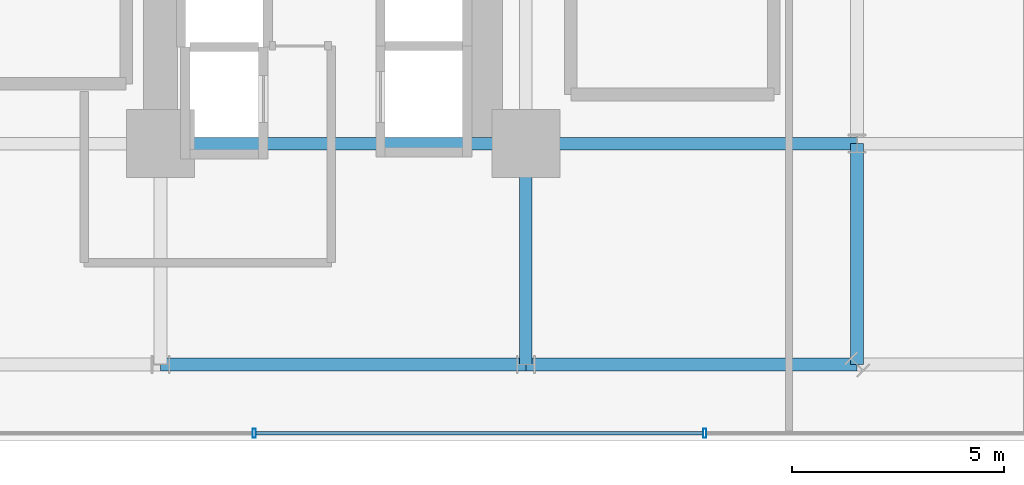
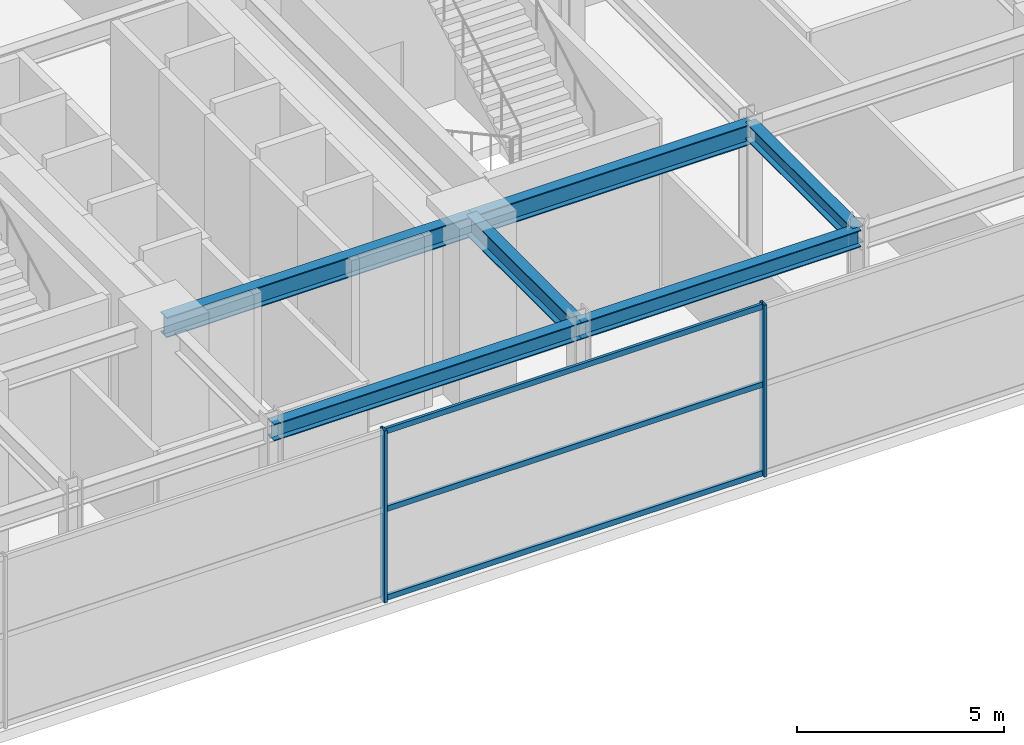
# One storey, part 12 of 32: 6 beams, 5 members, 1 element without a shape of its own.
"""IFC4 building model written with IfcOpenShell, lengths in metres."""

import ifcopenshell
import ifcopenshell.guid

model = None  # the IFC model being written
_history = None  # IfcOwnerHistory: only IFC2X3 demands one
_inside = {}  # id of a spatial element -> (the spatial element, [elements in it])
_under = {}  # id of a project, library or spatial element -> (it, [spatial elements below it])
_declared = {}  # id of a project -> (the project, [libraries it declares])
_typed = {}  # id of a type object -> (the type object, [elements of that type])
_made_of = {}  # id of a material, layer set ... -> (it, [elements and type objects made of it])


def new_model(schema):
    """Start an empty IFC model of exactly this schema.

    Asked for "IFC4X3", IfcOpenShell would pick the latest addendum, in which some entities
    have other attributes; the version numbers below select the first issue.
    IFC2X3 requires an IfcOwnerHistory on every rooted entity: one is made here for all.
    """
    global model, _history
    if schema == "IFC4X3":
        model = ifcopenshell.file(schema_version=(4, 3, 0, 0))
    else:
        model = ifcopenshell.file(schema=schema)
    _inside.clear()
    _under.clear()
    _declared.clear()
    _typed.clear()
    _made_of.clear()
    _history = None
    if model.schema == "IFC2X3":
        org = make("IfcOrganization", Name="unknown")
        user = make(
            "IfcPersonAndOrganization",
            ThePerson=make("IfcPerson", FamilyName="unknown"),
            TheOrganization=org,
        )
        app = make(
            "IfcApplication",
            ApplicationDeveloper=org,
            Version="unknown",
            ApplicationFullName="unknown",
            ApplicationIdentifier="unknown",
        )
        _history = make(
            "IfcOwnerHistory",
            OwningUser=user,
            OwningApplication=app,
            ChangeAction="ADDED",
            CreationDate=0,
        )
    return model


def make(cls, **values):
    """One entity of the class cls with the attributes given. An attribute that is None is left unset."""
    return model.create_entity(
        cls, **{name: value for name, value in values.items() if value is not None}
    )


def rooted(cls, **values):
    """An entity with a GlobalId (a new one), such as an element, a storey or a relation."""
    return make(cls, GlobalId=ifcopenshell.guid.new(), OwnerHistory=_history, **values)


def si_unit(unit_type, name, prefix=None):
    """IfcSIUnit, for example si_unit("LENGTHUNIT", "METRE", prefix="MILLI")."""
    return make("IfcSIUnit", UnitType=unit_type, Prefix=prefix, Name=name)


def assignment(units):
    """IfcUnitAssignment: the units of a project."""
    return None if units is None else make("IfcUnitAssignment", Units=units)


def point(xyz):
    """IfcCartesianPoint."""
    return None if xyz is None else make("IfcCartesianPoint", Coordinates=xyz)


def direction(xyz):
    """IfcDirection."""
    return None if xyz is None else make("IfcDirection", DirectionRatios=xyz)


def frame(location, z_axis=None, x_axis=None):
    """IfcAxis2Placement3D, a coordinate frame: its origin and axes. An axis left out is left unset."""
    return make(
        "IfcAxis2Placement3D",
        Location=point(location),
        Axis=direction(z_axis),
        RefDirection=direction(x_axis),
    )


def frame_2d(location, x_axis=None):
    """IfcAxis2Placement2D, a coordinate frame in the plane: its origin and x axis."""
    return make(
        "IfcAxis2Placement2D", Location=point(location), RefDirection=direction(x_axis)
    )


def origin():
    """The frame at (0, 0, 0) with its axes left unset."""
    return frame((0.0, 0.0, 0.0))


def origin_2d():
    """The frame at (0, 0) in the plane with its x axis left unset."""
    return frame_2d((0.0, 0.0))


def place(relative_to, where):
    """IfcLocalPlacement: puts the frame where relative to a parent placement (None: the world)."""
    return make(
        "IfcLocalPlacement", PlacementRelTo=relative_to, RelativePlacement=where
    )


def context(
    kind, dimensions, precision=None, world=None, true_north=None, identifier=None
):
    """IfcGeometricRepresentationContext, for example the 3D "Model" context."""
    return make(
        "IfcGeometricRepresentationContext",
        ContextIdentifier=identifier,
        ContextType=kind,
        CoordinateSpaceDimension=dimensions,
        Precision=precision,
        WorldCoordinateSystem=world,
        TrueNorth=true_north,
    )


def subcontext(parent, identifier, kind, view, scale=None):
    """IfcGeometricRepresentationSubContext, for example "Body" below "Model"."""
    return make(
        "IfcGeometricRepresentationSubContext",
        ContextIdentifier=identifier,
        ContextType=kind,
        ParentContext=parent,
        TargetScale=scale,
        TargetView=view,
    )


def project(units=None, contexts=None):
    """IfcProject with its units and contexts."""
    return rooted(
        "IfcProject",
        Name="project",
        RepresentationContexts=contexts,
        UnitsInContext=assignment(units),
    )


def spatial(cls, under=None, at=None, **own):
    """A site, building, storey or space (cls), placed at a placement, below another one or the project."""
    s = rooted(cls, ObjectPlacement=at, **own)
    if under is not None:
        _under.setdefault(under.id(), (under, []))[1].append(s)
    return s


def profile(cls, at=None, kind="AREA", **sizes):
    """A parametric profile (cls). Its sizes go by their IFC names, for example OverallWidth=200.0."""
    return make(cls, ProfileType=kind, Position=at, **sizes)


def hollow_rectangle(**sizes):
    """IfcRectangleHollowProfileDef."""
    return profile("IfcRectangleHollowProfileDef", **sizes)


def i_section(**sizes):
    """IfcIShapeProfileDef."""
    return profile("IfcIShapeProfileDef", **sizes)


def extrude(swept, where, along, depth):
    """IfcExtrudedAreaSolid: the profile swept, set in the frame where, extruded along a direction by depth."""
    return make(
        "IfcExtrudedAreaSolid",
        SweptArea=swept,
        Position=where,
        ExtrudedDirection=direction(along),
        Depth=depth,
    )


def shape(context_of_items, identifier, shape_type, items):
    """IfcShapeRepresentation: the items that make up one representation, for example the "Body"."""
    return make(
        "IfcShapeRepresentation",
        ContextOfItems=context_of_items,
        RepresentationIdentifier=identifier,
        RepresentationType=shape_type,
        Items=items,
    )


def source(mapping_origin, context_of_items, identifier, shape_type, items):
    """IfcRepresentationMap: a shape defined once, which mapped items show again and again."""
    return make(
        "IfcRepresentationMap",
        MappingOrigin=mapping_origin,
        MappedRepresentation=shape(context_of_items, identifier, shape_type, items),
    )


def transform(
    local_origin,
    x_axis=None,
    y_axis=None,
    z_axis=None,
    scale=None,
    scale2=None,
    scale3=None,
    uniform=True,
):
    """IfcCartesianTransformationOperator3D, or its non-uniform kind. x_axis, y_axis, z_axis: its Axis1, 2, 3."""
    if uniform:
        return make(
            "IfcCartesianTransformationOperator3D",
            Axis1=direction(x_axis),
            Axis2=direction(y_axis),
            LocalOrigin=point(local_origin),
            Scale=scale,
            Axis3=direction(z_axis),
        )
    return make(
        "IfcCartesianTransformationOperator3DnonUniform",
        Axis1=direction(x_axis),
        Axis2=direction(y_axis),
        LocalOrigin=point(local_origin),
        Scale=scale,
        Axis3=direction(z_axis),
        Scale2=scale2,
        Scale3=scale3,
    )


def mapped(mapping_source, mapping_target):
    """IfcMappedItem: shows the shape of a source again, moved by a transform."""
    return make(
        "IfcMappedItem", MappingSource=mapping_source, MappingTarget=mapping_target
    )


def material(Name=None, Category=None):
    """IfcMaterial."""
    return make("IfcMaterial", Name=Name, Category=Category)


def material_profile(
    of_material, cross_section, Name=None, Category=None, Priority=None
):
    """IfcMaterialProfile: a cross section and its material."""
    return make(
        "IfcMaterialProfile",
        Name=Name,
        Material=of_material,
        Profile=cross_section,
        Priority=Priority,
        Category=Category,
    )


def profile_set(profiles, Name=None, composite=None):
    """IfcMaterialProfileSet."""
    return make(
        "IfcMaterialProfileSet",
        Name=Name,
        MaterialProfiles=profiles,
        CompositeProfile=composite,
    )


def made_of(thing, what):
    """Note that an element or type object is made of a material, layer set ...; save() writes the relation."""
    if what is not None:
        _made_of.setdefault(what.id(), (what, []))[1].append(thing)
    return thing


def type_object(cls, material=None, **own):
    """A type object (cls), such as IfcWallType, which elements share."""
    return made_of(rooted(cls, **own), material)


def element(
    cls,
    number,
    at=None,
    inside=None,
    cuts=None,
    type_object=None,
    material=None,
    context=None,
    identifier="Body",
    shape_type=None,
    held_by="IfcProductDefinitionShape",
    body=None,
    shapes=None,
    **own,
):
    """One element of the class cls, such as IfcWall. Its Tag is "e" and its number.

    at: its placement. inside: the storey or other place that contains it. cuts: it is an
    opening in that element (IfcRelVoidsElement). A single representation is given by context,
    identifier, shape_type and body (its items); several are given by shapes. held_by: the class
    of the entity that holds the representations. save() writes the other relations.
    """
    e = rooted(cls, Tag="e%d" % number, ObjectPlacement=at, **own)
    if body is not None:
        shapes = [shape(context, identifier, shape_type, body)]
    if shapes is not None:
        e.Representation = make(held_by, Representations=shapes)
    if inside is not None:
        _inside.setdefault(inside.id(), (inside, []))[1].append(e)
    if cuts is not None:
        rooted(
            "IfcRelVoidsElement", RelatingBuildingElement=cuts, RelatedOpeningElement=e
        )
    if type_object is not None:
        _typed.setdefault(type_object.id(), (type_object, []))[1].append(e)
    return made_of(e, material)


def aggregate(whole, parts):
    """IfcRelAggregates: a whole, such as a stair, and the parts it consists of."""
    return rooted("IfcRelAggregates", RelatingObject=whole, RelatedObjects=parts)


def save(model, path):
    """Write the relations noted so far, then the file.

    IfcRelAggregates (storeys below a building ...), IfcRelContainedInSpatialStructure (elements
    in a storey), IfcRelDefinesByType, IfcRelAssociatesMaterial and IfcRelDeclares: one each for
    every whole, place, type object, material and project.
    """
    for whole, parts in _under.values():
        aggregate(whole, parts)
    for where, things in _inside.values():
        rooted(
            "IfcRelContainedInSpatialStructure",
            RelatedElements=things,
            RelatingStructure=where,
        )
    for kind, things in _typed.values():
        rooted("IfcRelDefinesByType", RelatedObjects=things, RelatingType=kind)
    for what, things in _made_of.values():
        rooted("IfcRelAssociatesMaterial", RelatedObjects=things, RelatingMaterial=what)
    for by, libraries in _declared.values():
        rooted("IfcRelDeclares", RelatingContext=by, RelatedDefinitions=libraries)
    model.write(path)


model = new_model("IFC4")

# Units and contexts
model_context = context("Model", 3, precision=1e-05, world=origin(), true_north=direction((0.0, 1.0)))
body_context = subcontext(model_context, "Body", "Model", "MODEL_VIEW")
ifc_project = project(units=[si_unit("LENGTHUNIT", "METRE"), si_unit("AREAUNIT", "SQUARE_METRE"), si_unit("VOLUMEUNIT", "CUBIC_METRE"), si_unit("PLANEANGLEUNIT", "RADIAN"), si_unit("MASSUNIT", "GRAM", prefix="KILO")], contexts=[model_context])

# Site, building, storey
site_placement = place(None, origin())
site = spatial("IfcSite", under=ifc_project, at=site_placement, CompositionType="ELEMENT")
building_placement = place(site_placement, origin())
building = spatial("IfcBuilding", under=site, at=building_placement, Name="Nahalor Promenade Grand Hotel", CompositionType="ELEMENT")
storey_placement = place(building_placement, frame((0.0, 0.0, 5.39990234375)))
storey = spatial("IfcBuildingStorey", under=building, at=storey_placement, Name="L01", CompositionType="ELEMENT", Elevation=5.39990234375)

# Beams
ifc_material_1 = material(Name="Steel S355JR", Category="steel")
ifc_material_profile_1 = material_profile(ifc_material_1, i_section(OverallWidth=0.3, OverallDepth=0.6, WebThickness=0.0155, FlangeThickness=0.03, at=origin_2d()), Name="HEB 600")
ifc_profile_set_1 = profile_set([ifc_material_profile_1], Name="Steel S355JR")
beam_type_1 = type_object("IfcBeamType", Name="Beam-Girder-HEB600", PredefinedType="BEAM", material=ifc_profile_set_1)
shared_shape_1 = source(origin(), body_context, "Body", "SweptSolid", [
    extrude(i_section(OverallWidth=0.3, OverallDepth=0.6, WebThickness=0.0155, FlangeThickness=0.03, at=origin_2d()), origin(), (0.0, 0.0, 1.0), 7.800048828125),
])
beam_1_placement = place(storey_placement, frame((17.0, -17.0, 4.780029296875), z_axis=(1.0, 0.0, 0.0), x_axis=(0.0, 1.0, 0.0)))
element("IfcBeam", 1, at=beam_1_placement, inside=storey, type_object=beam_type_1, Name="BM-L01-GX-0-7", PredefinedType="BEAM", context=body_context, shape_type="MappedRepresentation", body=[
    mapped(shared_shape_1, transform((0.0, 0.0, 0.0), scale=1.0)),
])
shared_shape_2 = source(origin(), body_context, "Body", "SweptSolid", [
    extrude(i_section(OverallWidth=0.3, OverallDepth=0.6, WebThickness=0.0155, FlangeThickness=0.03, at=origin_2d()), origin(), (0.0, 0.0, 1.0), 8.60009765625),
])
beam_2_placement = place(storey_placement, frame((8.39990234375, -17.0, 4.780029296875), z_axis=(1.0, 0.0, 0.0), x_axis=(0.0, 1.0, 0.0)))
element("IfcBeam", 2, at=beam_2_placement, inside=storey, type_object=beam_type_1, Name="BM-L01-GX-0-6", PredefinedType="BEAM", context=body_context, shape_type="MappedRepresentation", body=[
    mapped(shared_shape_2, transform((0.0, 0.0, 0.0), scale=1.0)),
])
shared_shape_3 = source(origin(), body_context, "Body", "SweptSolid", [
    extrude(i_section(OverallWidth=0.3, OverallDepth=0.6, WebThickness=0.0155, FlangeThickness=0.03, at=origin_2d()), origin(), (0.0, 0.0, 1.0), 5.199951171875),
])
beam_3_placement = place(storey_placement, frame((17.0, -22.199951171875, 4.780029296875), z_axis=(0.0, 1.0, 0.0), x_axis=(-1.0, 0.0, 0.0)))
element("IfcBeam", 3, at=beam_3_placement, inside=storey, type_object=beam_type_1, Name="BM-L01-GY-5-0", PredefinedType="BEAM", context=body_context, shape_type="MappedRepresentation", body=[
    mapped(shared_shape_3, transform((0.0, 0.0, 0.0), scale=1.0)),
])
ifc_material_profile_2 = material_profile(ifc_material_1, i_section(OverallWidth=0.3, OverallDepth=0.5, WebThickness=0.0145, FlangeThickness=0.028, at=origin_2d()), Name="HEB 500")
ifc_profile_set_2 = profile_set([ifc_material_profile_2], Name="Steel S355JR")
beam_type_2 = type_object("IfcBeamType", Name="Beam-Spandrel-HEB500", PredefinedType="SPANDREL", material=ifc_profile_set_2)
shared_shape_4 = source(origin(), body_context, "Body", "SweptSolid", [
    extrude(i_section(OverallWidth=0.3, OverallDepth=0.5, WebThickness=0.0145, FlangeThickness=0.028, at=origin_2d()), origin(), (0.0, 0.0, 1.0), 8.60009765625),
])
beam_4_placement = place(storey_placement, frame((8.39990234375, -22.199951171875, 4.830078125), z_axis=(1.0, 0.0, 0.0), x_axis=(0.0, 1.0, 0.0)))
element("IfcBeam", 4, at=beam_4_placement, inside=storey, type_object=beam_type_2, Name="BM-L01-SP-S-4", PredefinedType="SPANDREL", context=body_context, shape_type="MappedRepresentation", body=[
    mapped(shared_shape_4, transform((0.0, 0.0, 0.0), scale=1.0)),
])
shared_shape_5 = source(origin(), body_context, "Body", "SweptSolid", [
    extrude(i_section(OverallWidth=0.3, OverallDepth=0.5, WebThickness=0.0145, FlangeThickness=0.028, at=origin_2d()), origin(), (0.0, 0.0, 1.0), 7.800048828125),
])
beam_5_placement = place(storey_placement, frame((17.0, -22.199951171875, 4.830078125), z_axis=(1.0, 0.0, 0.0), x_axis=(0.0, 1.0, 0.0)))
element("IfcBeam", 5, at=beam_5_placement, inside=storey, type_object=beam_type_2, Name="BM-L01-SPC-SE-1", PredefinedType="SPANDREL", context=body_context, shape_type="MappedRepresentation", body=[
    mapped(shared_shape_5, transform((0.0, 0.0, 0.0), scale=1.0)),
])
shared_shape_6 = source(origin(), body_context, "Body", "SweptSolid", [
    extrude(i_section(OverallWidth=0.3, OverallDepth=0.5, WebThickness=0.0145, FlangeThickness=0.028, at=origin_2d()), origin(), (0.0, 0.0, 1.0), 5.199951171875),
])
beam_6_placement = place(storey_placement, frame((24.800048828125, -22.199951171875, 4.830078125), z_axis=(0.0, 1.0, 0.0), x_axis=(-1.0, 0.0, 0.0)))
element("IfcBeam", 6, at=beam_6_placement, inside=storey, type_object=beam_type_2, Name="BM-L01-SPC-SE-2", PredefinedType="SPANDREL", context=body_context, shape_type="MappedRepresentation", body=[
    mapped(shared_shape_6, transform((0.0, 0.0, 0.0), scale=1.0)),
])

# Curtain wall, members
ifc_material_2 = material(Name="Anodised Bronze Aluminium EN AW-6063 T6", Category="aluminium")
curtain_wall_type = type_object("IfcCurtainWallType", Name="CW1 Waterfront Podium Bronze Arcade Curtain Wall", PredefinedType="USERDEFINED", material=ifc_material_2)
curtain_wall_placement = place(storey_placement, origin())
curtain_wall = element("IfcCurtainWall", 7, at=curtain_wall_placement, inside=storey, type_object=curtain_wall_type, Name="L01 Curtain Wall CW-L01-S", ObjectType="UNITISED_CURTAIN_WALL", PredefinedType="USERDEFINED")
ifc_material_profile_3 = material_profile(ifc_material_2, hollow_rectangle(XDim=0.08, YDim=0.22, WallThickness=0.005, at=origin_2d()), Name="CWM 80x220x5")
ifc_profile_set_3 = profile_set([ifc_material_profile_3], Name="Anodised Bronze Aluminium EN AW-6063 T6")
member_type_1 = type_object("IfcMemberType", Name="CWM1 Podium Bronze Mullion 80x220", PredefinedType="MULLION", material=ifc_profile_set_3)
shared_shape_7 = source(origin(), body_context, "Body", "SweptSolid", [
    extrude(hollow_rectangle(XDim=0.08, YDim=0.22, WallThickness=0.005, at=origin_2d()), origin(), (0.0, 0.0, 1.0), 5.080078125),
])
member_1_placement = place(storey_placement, frame((10.606689453125, -23.820068359375, 0.0), z_axis=(0.0, 0.0, 1.0), x_axis=(1.0, 0.0, 0.0)))
member_1 = element("IfcMember", 8, at=member_1_placement, type_object=member_type_1, Name="CW-L01-S Mullion 4", PredefinedType="MULLION", context=body_context, shape_type="MappedRepresentation", body=[
    mapped(shared_shape_7, transform((0.0, 0.0, 0.0), scale=1.0)),
])
member_2_placement = place(storey_placement, frame((21.21337890625, -23.820068359375, 0.0), z_axis=(0.0, 0.0, 1.0), x_axis=(1.0, 0.0, 0.0)))
member_2 = element("IfcMember", 9, at=member_2_placement, type_object=member_type_1, Name="CW-L01-S Mullion 5", PredefinedType="MULLION", context=body_context, shape_type="MappedRepresentation", body=[
    mapped(shared_shape_7, transform((0.0, 0.0, 0.0), scale=1.0)),
])
ifc_material_profile_4 = material_profile(ifc_material_2, hollow_rectangle(XDim=0.08, YDim=0.16, WallThickness=0.004, at=origin_2d()), Name="CWT 80x160x4")
ifc_profile_set_4 = profile_set([ifc_material_profile_4], Name="Anodised Bronze Aluminium EN AW-6063 T6")
member_type_2 = type_object("IfcMemberType", Name="CWT1 Podium Bronze Transom 80x160", PredefinedType="USERDEFINED", material=ifc_profile_set_4)
shared_shape_8 = source(origin(), body_context, "Body", "SweptSolid", [
    extrude(hollow_rectangle(XDim=0.08, YDim=0.16, WallThickness=0.004, at=origin_2d()), origin(), (0.0, 0.0, 1.0), 10.526611328125),
])
member_3_placement = place(storey_placement, frame((10.646728515625, -23.820068359375, 0.080078125), z_axis=(1.0, 0.0, 0.0), x_axis=(0.0, 1.0, 0.0)))
member_3 = element("IfcMember", 10, at=member_3_placement, type_object=member_type_2, Name="CW-L01-S Transom 4-0", ObjectType="TRANSOM", PredefinedType="USERDEFINED", context=body_context, shape_type="MappedRepresentation", body=[
    mapped(shared_shape_8, transform((0.0, 0.0, 0.0), scale=1.0)),
])
member_4_placement = place(storey_placement, frame((10.646728515625, -23.820068359375, 2.7001953125), z_axis=(1.0, 0.0, 0.0), x_axis=(0.0, 1.0, 0.0)))
member_4 = element("IfcMember", 11, at=member_4_placement, type_object=member_type_2, Name="CW-L01-S Transom 4-1", ObjectType="TRANSOM", PredefinedType="USERDEFINED", context=body_context, shape_type="MappedRepresentation", body=[
    mapped(shared_shape_8, transform((0.0, 0.0, 0.0), scale=1.0)),
])
member_5_placement = place(storey_placement, frame((10.646728515625, -23.820068359375, 5.0), z_axis=(1.0, 0.0, 0.0), x_axis=(0.0, 1.0, 0.0)))
member_5 = element("IfcMember", 12, at=member_5_placement, type_object=member_type_2, Name="CW-L01-S Transom 4-2", ObjectType="TRANSOM", PredefinedType="USERDEFINED", context=body_context, shape_type="MappedRepresentation", body=[
    mapped(shared_shape_8, transform((0.0, 0.0, 0.0), scale=1.0)),
])
aggregate(curtain_wall, [member_1, member_2, member_3, member_4, member_5])

save(model, "model.ifc")
